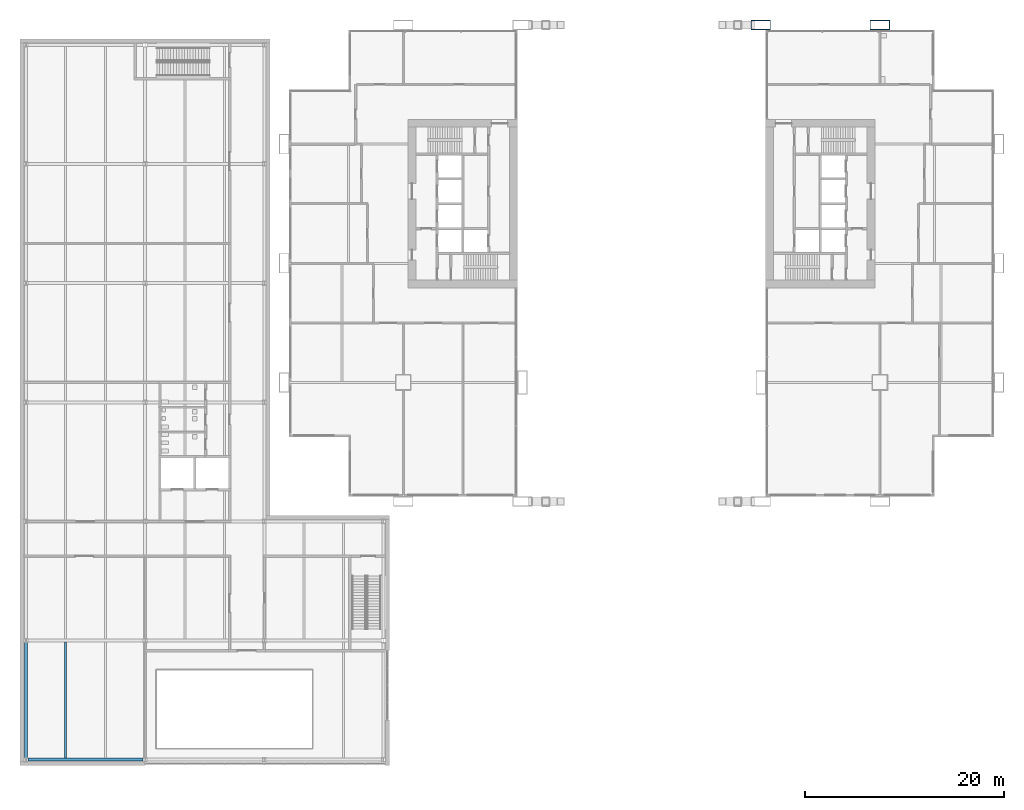
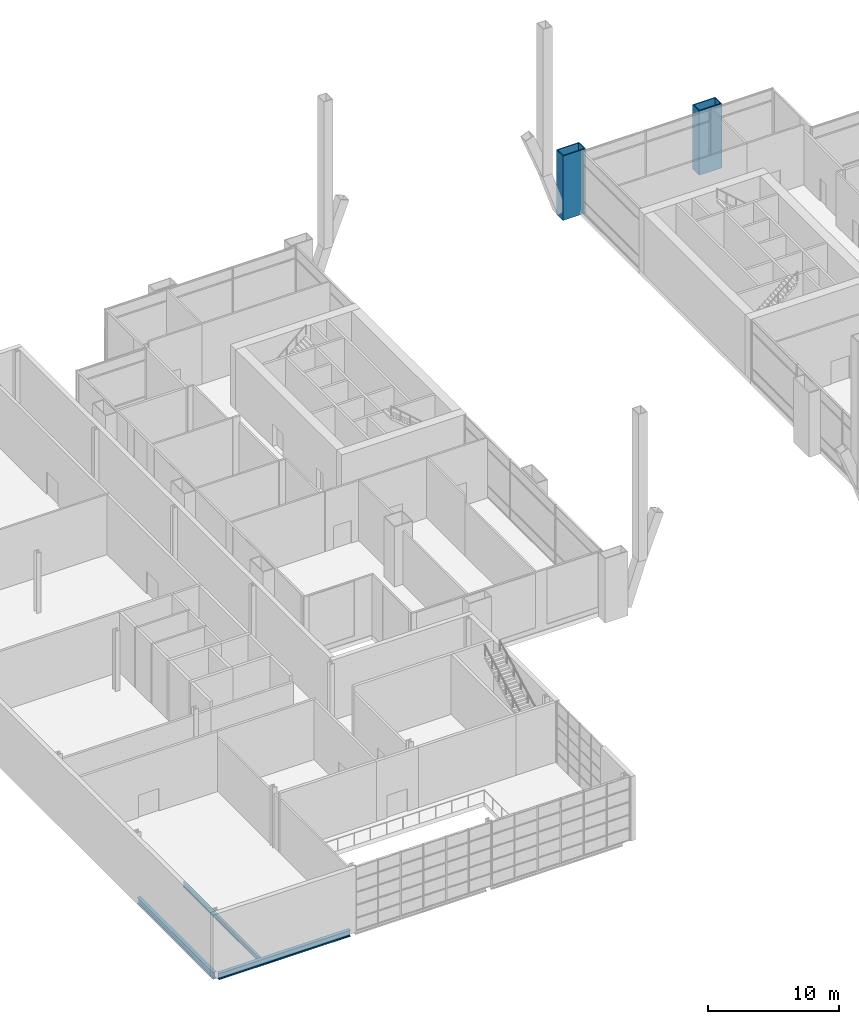
# One storey, part 6 of 30: 3 beams, 2 columns.
"""IFC4 building model written with IfcOpenShell, lengths in metres."""

from ifc_helpers import new_model, si_unit, direction, frame, origin, origin_2d, place, context, subcontext, project, spatial, hollow_rectangle, i_section, extrude, material, material_profile, profile_set, type_object, element, save


model = new_model("IFC4")

# Units and contexts
model_context = context("Model", 3, precision=1e-05, world=origin(), true_north=direction((0.0, 1.0)))
body_context = subcontext(model_context, "Body", "Model", "MODEL_VIEW")
ifc_project = project(units=[si_unit("LENGTHUNIT", "METRE"), si_unit("AREAUNIT", "SQUARE_METRE"), si_unit("VOLUMEUNIT", "CUBIC_METRE"), si_unit("PLANEANGLEUNIT", "RADIAN"), si_unit("MASSUNIT", "GRAM", prefix="KILO")], contexts=[model_context])

# Site, building, storey
site_placement = place(None, origin())
site = spatial("IfcSite", under=ifc_project, at=site_placement, CompositionType="ELEMENT")
building_placement = place(site_placement, origin())
building = spatial("IfcBuilding", under=site, at=building_placement, Name="Kitamizu Gate Tower and Museum", CompositionType="ELEMENT")
storey_placement = place(building_placement, frame((0.0, 0.0, 6.0)))
storey = spatial("IfcBuildingStorey", under=building, at=storey_placement, Name="L01", CompositionType="ELEMENT", Elevation=6.0)

# Columns
ifc_material_1 = material(Name="Steel SM490A bronze coated", Category="steel")
ifc_material_profile_1 = material_profile(ifc_material_1, hollow_rectangle(XDim=2.0, YDim=1.0, WallThickness=0.080078125, at=origin_2d()), Name="BOX 2000x1000x80")
ifc_profile_set_1 = profile_set([ifc_material_profile_1], Name="Steel SM490A bronze coated")
column_type = type_object("IfcColumnType", Name="Podium leg column LC1 BOX 2000x1000x80", PredefinedType="COLUMN", material=ifc_profile_set_1)
for number, where, z_axis, x_axis, name in (
    (1, (48.0, 48.0, -0.39990234375), (0.0, 0.0, 1.0), (1.0, 0.0, 0.0), "Column LC1 5E L01"),
    (2, (60.0, 48.0, -0.39990234375), (0.0, 0.0, 1.0), (1.0, 0.0, 0.0), "Column LC1 6E L01"),
):
    element("IfcColumn", number, at=place(storey_placement, frame(where, z_axis=z_axis, x_axis=x_axis)), inside=storey, type_object=column_type, Name=name, PredefinedType="COLUMN", context=body_context, shape_type="SweptSolid", body=[
        extrude(hollow_rectangle(XDim=2.0, YDim=1.0, WallThickness=0.080078125, at=origin_2d()), origin(), (0.0, 0.0, 1.0), 6.0),
    ])

# Beams
ifc_material_2 = material(Name="Steel SS400", Category="steel")
ifc_material_profile_2 = material_profile(ifc_material_2, i_section(OverallWidth=0.300048828125, OverallDepth=0.587890625, WebThickness=0.011962890625, FlangeThickness=0.02001953125, FilletRadius=0.028076171875, at=origin_2d()), Name="H-588x300x12x20")
ifc_profile_set_2 = profile_set([ifc_material_profile_2], Name="Steel SS400")
beam_type_1 = type_object("IfcBeamType", Name="Museum girder H 588x300x12x20", PredefinedType="BEAM", material=ifc_profile_set_2)
for number, where, z_axis, x_axis, name in (
    (3, (-25.800048828125, -26.0, -0.694091796875), (1.0, 0.0, 0.0), (0.0, 1.0, 0.0), "Girder xM1M2MA"),
    (4, (-26.0, -25.800048828125, -0.694091796875), (0.0, 1.0, 0.0), (-1.0, 0.0, 0.0), "Girder yM1MAMB"),
):
    element("IfcBeam", number, at=place(storey_placement, frame(where, z_axis=z_axis, x_axis=x_axis)), inside=storey, type_object=beam_type_1, Name=name, PredefinedType="BEAM", context=body_context, shape_type="SweptSolid", body=[
        extrude(i_section(OverallWidth=0.300048828125, OverallDepth=0.587890625, WebThickness=0.011962890625, FlangeThickness=0.02001953125, FilletRadius=0.028076171875, at=origin_2d()), origin(), (0.0, 0.0, 1.0), 11.60009765625),
    ])
ifc_material_3 = material(Name="Steel SS400", Category="steel")
ifc_material_profile_3 = material_profile(ifc_material_3, i_section(OverallWidth=0.199951171875, OverallDepth=0.449951171875, WebThickness=0.009033203125, FlangeThickness=0.013916015625, FilletRadius=0.01806640625, at=origin_2d()), Name="H-450x200x9x14")
ifc_profile_set_3 = profile_set([ifc_material_profile_3], Name="Steel SS400")
beam_type_2 = type_object("IfcBeamType", Name="Museum secondary beam H 450x200x9x14", PredefinedType="JOIST", material=ifc_profile_set_3)
beam_placement = place(storey_placement, frame((-22.0, -25.85009765625, -0.625), z_axis=(0.0, 1.0, 0.0), x_axis=(-1.0, 0.0, 0.0)))
element("IfcBeam", 5, at=beam_placement, inside=storey, type_object=beam_type_2, Name="Secondary beam M1M2MAMB.1", PredefinedType="JOIST", context=body_context, shape_type="SweptSolid", body=[
    extrude(i_section(OverallWidth=0.199951171875, OverallDepth=0.449951171875, WebThickness=0.009033203125, FlangeThickness=0.013916015625, FilletRadius=0.01806640625, at=origin_2d()), origin(), (0.0, 0.0, 1.0), 11.7001953125),
])

save(model, "model.ifc")
